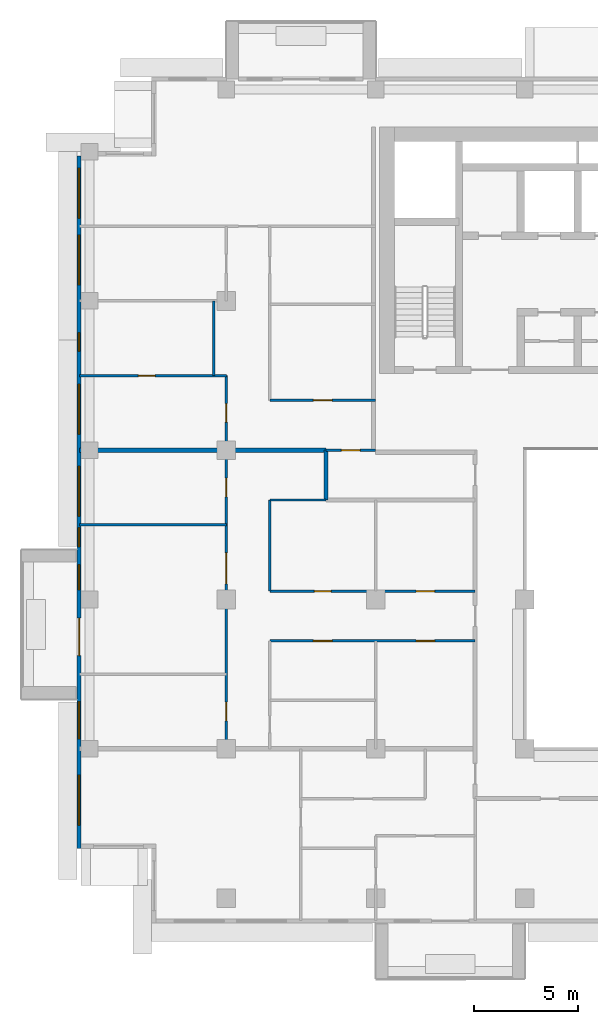
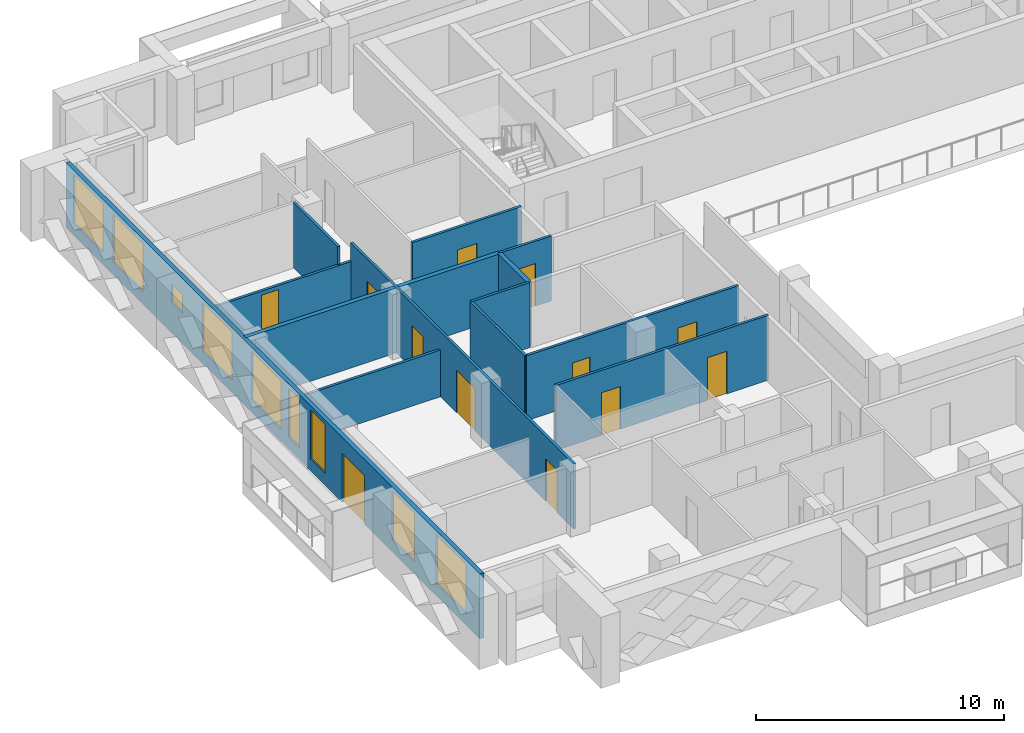
# One storey, part 7 of 20: 13 walls, 12 doors, 9 windows, 21 openings.
"""IFC4 building model written with IfcOpenShell, lengths in metres."""

from ifc_helpers import new_model, si_unit, direction, frame, frame_2d, origin, place, context, subcontext, project, spatial, rectangle, extrude, material, layer, layer_set, type_object, element, fill, save


model = new_model("IFC4")

# Units and contexts
model_context = context("Model", 3, precision=1e-05, world=origin(), true_north=direction((0.0, 1.0)))
body_context = subcontext(model_context, "Body", "Model", "MODEL_VIEW")
ifc_project = project(units=[si_unit("LENGTHUNIT", "METRE"), si_unit("AREAUNIT", "SQUARE_METRE"), si_unit("VOLUMEUNIT", "CUBIC_METRE"), si_unit("PLANEANGLEUNIT", "RADIAN"), si_unit("MASSUNIT", "GRAM", prefix="KILO")], contexts=[model_context])

# Site, building, storey
site_placement = place(None, origin())
site = spatial("IfcSite", under=ifc_project, at=site_placement, CompositionType="ELEMENT")
building_placement = place(site_placement, origin())
building = spatial("IfcBuilding", under=site, at=building_placement, Name="Saffron Iwan Residences", CompositionType="ELEMENT")
storey_placement = place(building_placement, frame((0.0, 0.0, 199.0)))
storey = spatial("IfcBuildingStorey", under=building, at=storey_placement, Name="L53", CompositionType="ELEMENT", Elevation=199.0)

# Wall, openings, door, windows
ifc_material_1 = material(Name="Concrete C40/50", Category="concrete")
ifc_layer_1 = layer(ifc_material_1, 0.199951171875)
ifc_layer_set_1 = layer_set([ifc_layer_1], Name="Concrete C40/50")
wall_type_1 = type_object("IfcWallType", Name="EXTERNAL WALL 200", PredefinedType="SOLIDWALL", material=ifc_layer_set_1)
wall_1_placement = place(storey_placement, frame((14.5, 76.60009765625, 0.0), z_axis=(0.0, 0.0, 1.0), x_axis=(0.0, -1.0, 0.0)))
wall_1 = element("IfcWall", 1, at=wall_1_placement, inside=storey, type_object=wall_type_1, Name="External wall L53 F8.0", PredefinedType="SOLIDWALL", context=body_context, shape_type="SweptSolid", body=[
    extrude(rectangle(XDim=33.400146484375, YDim=0.199951171875, at=frame_2d((16.7001953125, 0.0))), origin(), (0.0, 0.0, 1.0), 3.199951171875),
])
opening_1_placement = place(wall_1_placement, frame((22.300048828125, 0.0, 0.0)))
opening_1 = element("IfcOpeningElement", 2, at=opening_1_placement, cuts=wall_1, Name="Opening BD1", PredefinedType="OPENING", context=body_context, shape_type="SweptSolid", body=[
    extrude(rectangle(XDim=1.800048828125, YDim=2.39990234375, at=frame_2d((0.89990234375, 1.199951171875))), frame((0.0, 0.10986328125, 0.0), z_axis=(0.0, -1.0, 0.0), x_axis=(1.0, 0.0, 0.0)), (0.0, 0.0, 1.0), 0.219970703125),
])
opening_2_placement = place(wall_1_placement, frame((29.875, 0.0, 0.60009765625)))
opening_2 = element("IfcOpeningElement", 3, at=opening_2_placement, cuts=wall_1, Name="Opening W1", PredefinedType="OPENING", context=body_context, shape_type="SweptSolid", body=[
    extrude(rectangle(XDim=2.39990234375, YDim=2.39990234375, at=frame_2d((1.199951171875, 1.199951171875))), frame((0.0, 0.10986328125, 0.0), z_axis=(0.0, -1.0, 0.0), x_axis=(1.0, 0.0, 0.0)), (0.0, 0.0, 1.0), 0.219970703125),
])
opening_3_placement = place(wall_1_placement, frame((26.324951171875, 0.0, 0.60009765625)))
opening_3 = element("IfcOpeningElement", 4, at=opening_3_placement, cuts=wall_1, Name="Opening W8", PredefinedType="OPENING", context=body_context, shape_type="SweptSolid", body=[
    extrude(rectangle(XDim=1.800048828125, YDim=2.39990234375, at=frame_2d((0.89990234375, 1.199951171875))), frame((0.0, 0.10986328125, 0.0), z_axis=(0.0, -1.0, 0.0), x_axis=(1.0, 0.0, 0.0)), (0.0, 0.0, 1.0), 0.219970703125),
])
opening_4_placement = place(wall_1_placement, frame((17.949951171875, 0.0, 0.60009765625)))
opening_4 = element("IfcOpeningElement", 5, at=opening_4_placement, cuts=wall_1, Name="Opening W10", PredefinedType="OPENING", context=body_context, shape_type="SweptSolid", body=[
    extrude(rectangle(XDim=0.89990234375, YDim=2.39990234375, at=frame_2d((0.449951171875, 1.199951171875))), frame((0.0, 0.10986328125, 0.0), z_axis=(0.0, -1.0, 0.0), x_axis=(1.0, 0.0, 0.0)), (0.0, 0.0, 1.0), 0.219970703125),
])
opening_5_placement = place(wall_1_placement, frame((19.72509765625, 0.0, 0.60009765625)))
opening_5 = element("IfcOpeningElement", 6, at=opening_5_placement, cuts=wall_1, Name="Opening W3", PredefinedType="OPENING", context=body_context, shape_type="SweptSolid", body=[
    extrude(rectangle(XDim=1.199951171875, YDim=2.39990234375, at=frame_2d((0.60009765625, 1.199951171875))), frame((0.0, 0.10986328125, 0.0), z_axis=(0.0, -1.0, 0.0), x_axis=(1.0, 0.0, 0.0)), (0.0, 0.0, 1.0), 0.219970703125),
])
opening_6_placement = place(wall_1_placement, frame((14.97509765625, 0.0, 0.60009765625)))
opening_6 = element("IfcOpeningElement", 7, at=opening_6_placement, cuts=wall_1, Name="Opening W1", PredefinedType="OPENING", context=body_context, shape_type="SweptSolid", body=[
    extrude(rectangle(XDim=2.39990234375, YDim=2.39990234375, at=frame_2d((1.199951171875, 1.199951171875))), frame((0.0, 0.10986328125, 0.0), z_axis=(0.0, -1.0, 0.0), x_axis=(1.0, 0.0, 0.0)), (0.0, 0.0, 1.0), 0.219970703125),
])
opening_7_placement = place(wall_1_placement, frame((11.02490234375, 0.0, 0.60009765625)))
opening_7 = element("IfcOpeningElement", 8, at=opening_7_placement, cuts=wall_1, Name="Opening W1", PredefinedType="OPENING", context=body_context, shape_type="SweptSolid", body=[
    extrude(rectangle(XDim=2.39990234375, YDim=2.39990234375, at=frame_2d((1.199951171875, 1.199951171875))), frame((0.0, 0.10986328125, 0.0), z_axis=(0.0, -1.0, 0.0), x_axis=(1.0, 0.0, 0.0)), (0.0, 0.0, 1.0), 0.219970703125),
])
opening_8_placement = place(wall_1_placement, frame((8.52490234375, 0.0, 1.5)))
opening_8 = element("IfcOpeningElement", 9, at=opening_8_placement, cuts=wall_1, Name="Opening W6", PredefinedType="OPENING", context=body_context, shape_type="SweptSolid", body=[
    extrude(rectangle(XDim=0.89990234375, YDim=0.89990234375, at=frame_2d((0.449951171875, 0.449951171875))), frame((0.0, 0.10986328125, 0.0), z_axis=(0.0, -1.0, 0.0), x_axis=(1.0, 0.0, 0.0)), (0.0, 0.0, 1.0), 0.219970703125),
])
opening_9_placement = place(wall_1_placement, frame((3.824951171875, 0.0, 0.60009765625)))
opening_9 = element("IfcOpeningElement", 10, at=opening_9_placement, cuts=wall_1, Name="Opening W1", PredefinedType="OPENING", context=body_context, shape_type="SweptSolid", body=[
    extrude(rectangle(XDim=2.39990234375, YDim=2.39990234375, at=frame_2d((1.199951171875, 1.199951171875))), frame((0.0, 0.10986328125, 0.0), z_axis=(0.0, -1.0, 0.0), x_axis=(1.0, 0.0, 0.0)), (0.0, 0.0, 1.0), 0.219970703125),
])
opening_10_placement = place(wall_1_placement, frame((0.60009765625, 0.0, 0.60009765625)))
opening_10 = element("IfcOpeningElement", 11, at=opening_10_placement, cuts=wall_1, Name="Opening W1", PredefinedType="OPENING", context=body_context, shape_type="SweptSolid", body=[
    extrude(rectangle(XDim=2.39990234375, YDim=2.39990234375, at=frame_2d((1.199951171875, 1.199951171875))), frame((0.0, 0.10986328125, 0.0), z_axis=(0.0, -1.0, 0.0), x_axis=(1.0, 0.0, 0.0)), (0.0, 0.0, 1.0), 0.219970703125),
])
ifc_material_2 = material(Name="Clear glass, laminated double glazed", Category="glass")
door_type_1 = type_object("IfcDoorType", Name="BALCONY DOOR 1800 x 2400", OperationType="DOUBLE_DOOR_SLIDING", PredefinedType="DOOR", material=ifc_material_2)
door_1_placement = place(opening_1_placement, origin())
door_1 = element("IfcDoor", 12, at=door_1_placement, inside=storey, type_object=door_type_1, Name="Balcony door L53 F8.0", OperationType="DOUBLE_DOOR_SLIDING", OverallHeight=2.39990234375, OverallWidth=1.800048828125, PredefinedType="DOOR", context=body_context, shape_type="SweptSolid", body=[
    extrude(rectangle(XDim=1.800048828125, YDim=2.39990234375, at=frame_2d((0.89990234375, 1.199951171875))), frame((0.0, 0.02490234375, 0.0), z_axis=(0.0, -1.0, 0.0), x_axis=(1.0, 0.0, 0.0)), (0.0, 0.0, 1.0), 0.050048828125),
])
fill(opening_1, door_1)
window_type_1 = type_object("IfcWindowType", Name="WINDOW 1200 x 2400", PartitioningType="SINGLE_PANEL", PredefinedType="WINDOW", material=ifc_material_2)
window_1_placement = place(opening_5_placement, origin())
window_1 = element("IfcWindow", 13, at=window_1_placement, inside=storey, type_object=window_type_1, Name="Window L53 F8.4", OverallHeight=2.39990234375, OverallWidth=1.199951171875, PartitioningType="SINGLE_PANEL", PredefinedType="WINDOW", context=body_context, shape_type="SweptSolid", body=[
    extrude(rectangle(XDim=1.199951171875, YDim=2.39990234375, at=frame_2d((0.60009765625, 1.199951171875))), frame((0.0, 0.030029296875, 0.0), z_axis=(0.0, -1.0, 0.0), x_axis=(1.0, 0.0, 0.0)), (0.0, 0.0, 1.0), 0.06005859375),
])
fill(opening_5, window_1)
window_type_2 = type_object("IfcWindowType", Name="WINDOW 1800 x 2400", PartitioningType="DOUBLE_PANEL_VERTICAL", PredefinedType="WINDOW", material=ifc_material_2)
window_2_placement = place(opening_3_placement, origin())
window_2 = element("IfcWindow", 14, at=window_2_placement, inside=storey, type_object=window_type_2, Name="Window L53 F8.2", OverallHeight=2.39990234375, OverallWidth=1.800048828125, PartitioningType="DOUBLE_PANEL_VERTICAL", PredefinedType="WINDOW", context=body_context, shape_type="SweptSolid", body=[
    extrude(rectangle(XDim=1.800048828125, YDim=2.39990234375, at=frame_2d((0.89990234375, 1.199951171875))), frame((0.0, 0.030029296875, 0.0), z_axis=(0.0, -1.0, 0.0), x_axis=(1.0, 0.0, 0.0)), (0.0, 0.0, 1.0), 0.06005859375),
])
fill(opening_3, window_2)
window_type_3 = type_object("IfcWindowType", Name="WINDOW 2400 x 2400", PartitioningType="DOUBLE_PANEL_VERTICAL", PredefinedType="WINDOW", material=ifc_material_2)
window_3_placement = place(opening_2_placement, origin())
window_3 = element("IfcWindow", 15, at=window_3_placement, inside=storey, type_object=window_type_3, Name="Window L53 F8.1", OverallHeight=2.39990234375, OverallWidth=2.39990234375, PartitioningType="DOUBLE_PANEL_VERTICAL", PredefinedType="WINDOW", context=body_context, shape_type="SweptSolid", body=[
    extrude(rectangle(XDim=2.39990234375, YDim=2.39990234375, at=frame_2d((1.199951171875, 1.199951171875))), frame((0.0, 0.030029296875, 0.0), z_axis=(0.0, -1.0, 0.0), x_axis=(1.0, 0.0, 0.0)), (0.0, 0.0, 1.0), 0.06005859375),
])
fill(opening_2, window_3)
window_4_placement = place(opening_6_placement, origin())
window_4 = element("IfcWindow", 16, at=window_4_placement, inside=storey, type_object=window_type_3, Name="Window L53 F8.5", OverallHeight=2.39990234375, OverallWidth=2.39990234375, PartitioningType="DOUBLE_PANEL_VERTICAL", PredefinedType="WINDOW", context=body_context, shape_type="SweptSolid", body=[
    extrude(rectangle(XDim=2.39990234375, YDim=2.39990234375, at=frame_2d((1.199951171875, 1.199951171875))), frame((0.0, 0.030029296875, 0.0), z_axis=(0.0, -1.0, 0.0), x_axis=(1.0, 0.0, 0.0)), (0.0, 0.0, 1.0), 0.06005859375),
])
fill(opening_6, window_4)
window_5_placement = place(opening_7_placement, origin())
window_5 = element("IfcWindow", 17, at=window_5_placement, inside=storey, type_object=window_type_3, Name="Window L53 F8.6", OverallHeight=2.39990234375, OverallWidth=2.39990234375, PartitioningType="DOUBLE_PANEL_VERTICAL", PredefinedType="WINDOW", context=body_context, shape_type="SweptSolid", body=[
    extrude(rectangle(XDim=2.39990234375, YDim=2.39990234375, at=frame_2d((1.199951171875, 1.199951171875))), frame((0.0, 0.030029296875, 0.0), z_axis=(0.0, -1.0, 0.0), x_axis=(1.0, 0.0, 0.0)), (0.0, 0.0, 1.0), 0.06005859375),
])
fill(opening_7, window_5)
window_6_placement = place(opening_9_placement, origin())
window_6 = element("IfcWindow", 18, at=window_6_placement, inside=storey, type_object=window_type_3, Name="Window L53 F8.8", OverallHeight=2.39990234375, OverallWidth=2.39990234375, PartitioningType="DOUBLE_PANEL_VERTICAL", PredefinedType="WINDOW", context=body_context, shape_type="SweptSolid", body=[
    extrude(rectangle(XDim=2.39990234375, YDim=2.39990234375, at=frame_2d((1.199951171875, 1.199951171875))), frame((0.0, 0.030029296875, 0.0), z_axis=(0.0, -1.0, 0.0), x_axis=(1.0, 0.0, 0.0)), (0.0, 0.0, 1.0), 0.06005859375),
])
fill(opening_9, window_6)
window_7_placement = place(opening_10_placement, origin())
window_7 = element("IfcWindow", 19, at=window_7_placement, inside=storey, type_object=window_type_3, Name="Window L53 F8.9", OverallHeight=2.39990234375, OverallWidth=2.39990234375, PartitioningType="DOUBLE_PANEL_VERTICAL", PredefinedType="WINDOW", context=body_context, shape_type="SweptSolid", body=[
    extrude(rectangle(XDim=2.39990234375, YDim=2.39990234375, at=frame_2d((1.199951171875, 1.199951171875))), frame((0.0, 0.030029296875, 0.0), z_axis=(0.0, -1.0, 0.0), x_axis=(1.0, 0.0, 0.0)), (0.0, 0.0, 1.0), 0.06005859375),
])
fill(opening_10, window_7)
window_type_4 = type_object("IfcWindowType", Name="WINDOW 900 x 2400", PartitioningType="SINGLE_PANEL", PredefinedType="WINDOW", material=ifc_material_2)
window_8_placement = place(opening_4_placement, origin())
window_8 = element("IfcWindow", 20, at=window_8_placement, inside=storey, type_object=window_type_4, Name="Window L53 F8.3", OverallHeight=2.39990234375, OverallWidth=0.89990234375, PartitioningType="SINGLE_PANEL", PredefinedType="WINDOW", context=body_context, shape_type="SweptSolid", body=[
    extrude(rectangle(XDim=0.89990234375, YDim=2.39990234375, at=frame_2d((0.449951171875, 1.199951171875))), frame((0.0, 0.030029296875, 0.0), z_axis=(0.0, -1.0, 0.0), x_axis=(1.0, 0.0, 0.0)), (0.0, 0.0, 1.0), 0.06005859375),
])
fill(opening_4, window_8)
window_type_5 = type_object("IfcWindowType", Name="WINDOW 900 x 900 BATH", PartitioningType="SINGLE_PANEL", PredefinedType="WINDOW", material=ifc_material_2)
window_9_placement = place(opening_8_placement, origin())
window_9 = element("IfcWindow", 21, at=window_9_placement, inside=storey, type_object=window_type_5, Name="Window L53 F8.7", OverallHeight=0.89990234375, OverallWidth=0.89990234375, PartitioningType="SINGLE_PANEL", PredefinedType="WINDOW", context=body_context, shape_type="SweptSolid", body=[
    extrude(rectangle(XDim=0.89990234375, YDim=0.89990234375, at=frame_2d((0.449951171875, 0.449951171875))), frame((0.0, 0.030029296875, 0.0), z_axis=(0.0, -1.0, 0.0), x_axis=(1.0, 0.0, 0.0)), (0.0, 0.0, 1.0), 0.06005859375),
])
fill(opening_8, window_9)

# Walls
ifc_material_3 = material(Name="Fire-rated gypsum board wall")
ifc_layer_2 = layer(ifc_material_3, 0.199951171875)
ifc_layer_set_2 = layer_set([ifc_layer_2], Name="Fire-rated gypsum board wall")
wall_type_2 = type_object("IfcWallType", Name="Flat demising wall 200", PredefinedType="SOLIDWALL", material=ifc_layer_set_2)
wall_2_placement = place(storey_placement, frame((14.52490234375, 62.39990234375, 0.0), z_axis=(0.0, 0.0, 1.0), x_axis=(1.0, 0.0, 0.0)))
element("IfcWall", 22, at=wall_2_placement, inside=storey, type_object=wall_type_2, Name="W-L53-DEMISE-h62.4-14.525", PredefinedType="SOLIDWALL", context=body_context, shape_type="SweptSolid", body=[
    extrude(rectangle(XDim=11.875, YDim=0.199951171875, at=frame_2d((5.9375, 0.0))), origin(), (0.0, 0.0, 1.0), 3.199951171875),
])
wall_3_placement = place(storey_placement, frame((26.39990234375, 60.0, 0.0), z_axis=(0.0, 0.0, 1.0), x_axis=(0.0, 1.0, 0.0)))
element("IfcWall", 23, at=wall_3_placement, inside=storey, type_object=wall_type_2, Name="W-L53-DEMISE-v26.4-60", PredefinedType="SOLIDWALL", context=body_context, shape_type="SweptSolid", body=[
    extrude(rectangle(XDim=2.39990234375, YDim=0.199951171875, at=frame_2d((1.199951171875, 0.0))), origin(), (0.0, 0.0, 1.0), 3.199951171875),
])

# Wall, openings, doors
ifc_material_4 = material(Name="Gypsum board partition")
ifc_layer_3 = layer(ifc_material_4, 0.1201171875)
ifc_layer_set_3 = layer_set([ifc_layer_3], Name="Gypsum board partition")
wall_type_3 = type_object("IfcWallType", Name="Flat partition 120", PredefinedType="PARTITIONING", material=ifc_layer_set_3)
wall_4_placement = place(storey_placement, frame((23.699951171875, 53.199951171875, 0.0), z_axis=(0.0, 0.0, 1.0), x_axis=(1.0, 0.0, 0.0)))
wall_4 = element("IfcWall", 24, at=wall_4_placement, inside=storey, type_object=wall_type_3, Name="W-L53-PART-h53.2-23.7", PredefinedType="PARTITIONING", context=body_context, shape_type="SweptSolid", body=[
    extrude(rectangle(XDim=9.900146484375, YDim=0.1201171875, at=frame_2d((4.9501953125, 0.0))), origin(), (0.0, 0.0, 1.0), 3.199951171875),
])
opening_11_placement = place(wall_4_placement, frame((2.10009765625, 0.0, 0.0)))
opening_11 = element("IfcOpeningElement", 25, at=opening_11_placement, cuts=wall_4, Name="Opening FD2", PredefinedType="OPENING", context=body_context, shape_type="SweptSolid", body=[
    extrude(rectangle(XDim=0.89990234375, YDim=2.10009765625, at=frame_2d((0.449951171875, 1.050048828125))), frame((0.0, 0.070068359375, 0.0), z_axis=(0.0, -1.0, 0.0), x_axis=(1.0, 0.0, 0.0)), (0.0, 0.0, 1.0), 0.14013671875),
])
opening_12_placement = place(wall_4_placement, frame((7.050048828125, 0.0, 0.0)))
opening_12 = element("IfcOpeningElement", 26, at=opening_12_placement, cuts=wall_4, Name="Opening FD2", PredefinedType="OPENING", context=body_context, shape_type="SweptSolid", body=[
    extrude(rectangle(XDim=0.89990234375, YDim=2.10009765625, at=frame_2d((0.449951171875, 1.050048828125))), frame((0.0, 0.070068359375, 0.0), z_axis=(0.0, -1.0, 0.0), x_axis=(1.0, 0.0, 0.0)), (0.0, 0.0, 1.0), 0.14013671875),
])
ifc_material_5 = material(Name="Timber door", Category="wood")
door_type_2 = type_object("IfcDoorType", Name="Flat door 900", OperationType="NOTDEFINED", PredefinedType="DOOR", material=ifc_material_5)
door_2_placement = place(opening_11_placement, origin())
door_2 = element("IfcDoor", 27, at=door_2_placement, inside=storey, type_object=door_type_2, Name="Door L53-012", OperationType="SINGLE_SWING_LEFT", OverallHeight=2.10009765625, OverallWidth=0.89990234375, PredefinedType="DOOR", context=body_context, shape_type="SweptSolid", body=[
    extrude(rectangle(XDim=0.89990234375, YDim=2.10009765625, at=frame_2d((0.449951171875, 1.050048828125))), frame((0.0, 0.02490234375, 0.0), z_axis=(0.0, -1.0, 0.0), x_axis=(1.0, 0.0, 0.0)), (0.0, 0.0, 1.0), 0.050048828125),
])
fill(opening_11, door_2)
door_3_placement = place(opening_12_placement, origin())
door_3 = element("IfcDoor", 28, at=door_3_placement, inside=storey, type_object=door_type_2, Name="Door L53-014", OperationType="SINGLE_SWING_RIGHT", OverallHeight=2.10009765625, OverallWidth=0.89990234375, PredefinedType="DOOR", context=body_context, shape_type="SweptSolid", body=[
    extrude(rectangle(XDim=0.89990234375, YDim=2.10009765625, at=frame_2d((0.449951171875, 1.050048828125))), frame((0.0, 0.02490234375, 0.0), z_axis=(0.0, -1.0, 0.0), x_axis=(1.0, 0.0, 0.0)), (0.0, 0.0, 1.0), 0.050048828125),
])
fill(opening_12, door_3)

wall_5_placement = place(storey_placement, frame((23.699951171875, 55.60009765625, 0.0), z_axis=(0.0, 0.0, 1.0), x_axis=(1.0, 0.0, 0.0)))
wall_5 = element("IfcWall", 29, at=wall_5_placement, inside=storey, type_object=wall_type_3, Name="W-L53-PART-h55.6-23.7", PredefinedType="PARTITIONING", context=body_context, shape_type="SweptSolid", body=[
    extrude(rectangle(XDim=9.900146484375, YDim=0.1201171875, at=frame_2d((4.9501953125, 0.0))), origin(), (0.0, 0.0, 1.0), 3.199951171875),
])
opening_13_placement = place(wall_5_placement, frame((2.14990234375, 0.0, 0.0)))
opening_13 = element("IfcOpeningElement", 30, at=opening_13_placement, cuts=wall_5, Name="Opening FD3", PredefinedType="OPENING", context=body_context, shape_type="SweptSolid", body=[
    extrude(rectangle(XDim=0.800048828125, YDim=2.10009765625, at=frame_2d((0.39990234375, 1.050048828125))), frame((0.0, 0.070068359375, 0.0), z_axis=(0.0, -1.0, 0.0), x_axis=(1.0, 0.0, 0.0)), (0.0, 0.0, 1.0), 0.14013671875),
])
opening_14_placement = place(wall_5_placement, frame((7.050048828125, 0.0, 0.0)))
opening_14 = element("IfcOpeningElement", 31, at=opening_14_placement, cuts=wall_5, Name="Opening FD2", PredefinedType="OPENING", context=body_context, shape_type="SweptSolid", body=[
    extrude(rectangle(XDim=0.89990234375, YDim=2.10009765625, at=frame_2d((0.449951171875, 1.050048828125))), frame((0.0, 0.070068359375, 0.0), z_axis=(0.0, -1.0, 0.0), x_axis=(1.0, 0.0, 0.0)), (0.0, 0.0, 1.0), 0.14013671875),
])
door_type_3 = type_object("IfcDoorType", Name="Bathroom door 800", OperationType="NOTDEFINED", PredefinedType="DOOR", material=ifc_material_5)
door_4_placement = place(opening_13_placement, origin())
door_4 = element("IfcDoor", 32, at=door_4_placement, inside=storey, type_object=door_type_3, Name="Door L53-013", OperationType="SINGLE_SWING_LEFT", OverallHeight=2.10009765625, OverallWidth=0.800048828125, PredefinedType="DOOR", context=body_context, shape_type="SweptSolid", body=[
    extrude(rectangle(XDim=0.800048828125, YDim=2.10009765625, at=frame_2d((0.39990234375, 1.050048828125))), frame((0.0, 0.02490234375, 0.0), z_axis=(0.0, -1.0, 0.0), x_axis=(1.0, 0.0, 0.0)), (0.0, 0.0, 1.0), 0.050048828125),
])
fill(opening_13, door_4)
door_5_placement = place(opening_14_placement, origin())
door_5 = element("IfcDoor", 33, at=door_5_placement, inside=storey, type_object=door_type_2, Name="Door L53-015", OperationType="SINGLE_SWING_LEFT", OverallHeight=2.10009765625, OverallWidth=0.89990234375, PredefinedType="DOOR", context=body_context, shape_type="SweptSolid", body=[
    extrude(rectangle(XDim=0.89990234375, YDim=2.10009765625, at=frame_2d((0.449951171875, 1.050048828125))), frame((0.0, 0.02490234375, 0.0), z_axis=(0.0, -1.0, 0.0), x_axis=(1.0, 0.0, 0.0)), (0.0, 0.0, 1.0), 0.050048828125),
])
fill(opening_14, door_5)

# Walls
wall_6_placement = place(storey_placement, frame((14.52490234375, 58.800048828125, 0.0), z_axis=(0.0, 0.0, 1.0), x_axis=(1.0, 0.0, 0.0)))
element("IfcWall", 34, at=wall_6_placement, inside=storey, type_object=wall_type_3, Name="W-L53-PART-h58.8-14.525", PredefinedType="PARTITIONING", context=body_context, shape_type="SweptSolid", body=[
    extrude(rectangle(XDim=7.0751953125, YDim=0.1201171875, at=frame_2d((3.53759765625, 0.0))), origin(), (0.0, 0.0, 1.0), 2.300048828125),
])
wall_7_placement = place(storey_placement, frame((23.699951171875, 60.0, 0.0), z_axis=(0.0, 0.0, 1.0), x_axis=(1.0, 0.0, 0.0)))
element("IfcWall", 35, at=wall_7_placement, inside=storey, type_object=wall_type_3, Name="W-L53-PART-h60-23.7", PredefinedType="PARTITIONING", context=body_context, shape_type="SweptSolid", body=[
    extrude(rectangle(XDim=2.699951171875, YDim=0.1201171875, at=frame_2d((1.35009765625, 0.0))), origin(), (0.0, 0.0, 1.0), 3.199951171875),
])

# Wall, opening, door
wall_8_placement = place(storey_placement, frame((26.39990234375, 62.39990234375, 0.0), z_axis=(0.0, 0.0, 1.0), x_axis=(1.0, 0.0, 0.0)))
wall_8 = element("IfcWall", 36, at=wall_8_placement, inside=storey, type_object=wall_type_3, Name="W-L53-PART-h62.4-26.4", PredefinedType="PARTITIONING", context=body_context, shape_type="SweptSolid", body=[
    extrude(rectangle(XDim=2.400146484375, YDim=0.1201171875, at=frame_2d((1.2001953125, 0.0))), origin(), (0.0, 0.0, 1.0), 3.199951171875),
])
opening_15_placement = place(wall_8_placement, frame((0.75, 0.0, 0.0)))
opening_15 = element("IfcOpeningElement", 37, at=opening_15_placement, cuts=wall_8, Name="Opening FD2", PredefinedType="OPENING", context=body_context, shape_type="SweptSolid", body=[
    extrude(rectangle(XDim=0.89990234375, YDim=2.10009765625, at=frame_2d((0.449951171875, 1.050048828125))), frame((0.0, 0.070068359375, 0.0), z_axis=(0.0, -1.0, 0.0), x_axis=(1.0, 0.0, 0.0)), (0.0, 0.0, 1.0), 0.14013671875),
])
door_6_placement = place(opening_15_placement, origin())
door_6 = element("IfcDoor", 38, at=door_6_placement, inside=storey, type_object=door_type_2, Name="Door L53-024", OperationType="SINGLE_SWING_LEFT", OverallHeight=2.10009765625, OverallWidth=0.89990234375, PredefinedType="DOOR", context=body_context, shape_type="SweptSolid", body=[
    extrude(rectangle(XDim=0.89990234375, YDim=2.10009765625, at=frame_2d((0.449951171875, 1.050048828125))), frame((0.0, 0.02490234375, 0.0), z_axis=(0.0, -1.0, 0.0), x_axis=(1.0, 0.0, 0.0)), (0.0, 0.0, 1.0), 0.050048828125),
])
fill(opening_15, door_6)

wall_9_placement = place(storey_placement, frame((23.699951171875, 64.800048828125, 0.0), z_axis=(0.0, 0.0, 1.0), x_axis=(1.0, 0.0, 0.0)))
wall_9 = element("IfcWall", 39, at=wall_9_placement, inside=storey, type_object=wall_type_3, Name="W-L53-PART-h64.8-23.7", PredefinedType="PARTITIONING", context=body_context, shape_type="SweptSolid", body=[
    extrude(rectangle(XDim=5.10009765625, YDim=0.1201171875, at=frame_2d((2.550048828125, 0.0))), origin(), (0.0, 0.0, 1.0), 3.199951171875),
])
opening_16_placement = place(wall_9_placement, frame((2.10009765625, 0.0, 0.0)))
opening_16 = element("IfcOpeningElement", 40, at=opening_16_placement, cuts=wall_9, Name="Opening FD2", PredefinedType="OPENING", context=body_context, shape_type="SweptSolid", body=[
    extrude(rectangle(XDim=0.89990234375, YDim=2.10009765625, at=frame_2d((0.449951171875, 1.050048828125))), frame((0.0, 0.070068359375, 0.0), z_axis=(0.0, -1.0, 0.0), x_axis=(1.0, 0.0, 0.0)), (0.0, 0.0, 1.0), 0.14013671875),
])
door_7_placement = place(opening_16_placement, origin())
door_7 = element("IfcDoor", 41, at=door_7_placement, inside=storey, type_object=door_type_2, Name="Door L53-030", OperationType="SINGLE_SWING_LEFT", OverallHeight=2.10009765625, OverallWidth=0.89990234375, PredefinedType="DOOR", context=body_context, shape_type="SweptSolid", body=[
    extrude(rectangle(XDim=0.89990234375, YDim=2.10009765625, at=frame_2d((0.449951171875, 1.050048828125))), frame((0.0, 0.02490234375, 0.0), z_axis=(0.0, -1.0, 0.0), x_axis=(1.0, 0.0, 0.0)), (0.0, 0.0, 1.0), 0.050048828125),
])
fill(opening_16, door_7)

wall_10_placement = place(storey_placement, frame((14.52490234375, 66.0, 0.0), z_axis=(0.0, 0.0, 1.0), x_axis=(1.0, 0.0, 0.0)))
wall_10 = element("IfcWall", 42, at=wall_10_placement, inside=storey, type_object=wall_type_3, Name="W-L53-PART-h66-14.525", PredefinedType="PARTITIONING", context=body_context, shape_type="SweptSolid", body=[
    extrude(rectangle(XDim=7.0751953125, YDim=0.1201171875, at=frame_2d((3.53759765625, 0.0))), origin(), (0.0, 0.0, 1.0), 2.300048828125),
])
opening_17_placement = place(wall_10_placement, frame((2.83740234375, 0.0, 0.0)))
opening_17 = element("IfcOpeningElement", 43, at=opening_17_placement, cuts=wall_10, Name="Opening FD3", PredefinedType="OPENING", context=body_context, shape_type="SweptSolid", body=[
    extrude(rectangle(XDim=0.800048828125, YDim=2.10009765625, at=frame_2d((0.39990234375, 1.050048828125))), frame((0.0, 0.070068359375, 0.0), z_axis=(0.0, -1.0, 0.0), x_axis=(1.0, 0.0, 0.0)), (0.0, 0.0, 1.0), 0.14013671875),
])
door_8_placement = place(opening_17_placement, origin())
door_8 = element("IfcDoor", 44, at=door_8_placement, inside=storey, type_object=door_type_3, Name="Door L53-027", OperationType="SINGLE_SWING_LEFT", OverallHeight=2.10009765625, OverallWidth=0.800048828125, PredefinedType="DOOR", context=body_context, shape_type="SweptSolid", body=[
    extrude(rectangle(XDim=0.800048828125, YDim=2.10009765625, at=frame_2d((0.39990234375, 1.050048828125))), frame((0.0, 0.02490234375, 0.0), z_axis=(0.0, -1.0, 0.0), x_axis=(1.0, 0.0, 0.0)), (0.0, 0.0, 1.0), 0.050048828125),
])
fill(opening_17, door_8)

# Wall
wall_11_placement = place(storey_placement, frame((21.0, 66.0, 0.0), z_axis=(0.0, 0.0, 1.0), x_axis=(0.0, 1.0, 0.0)))
element("IfcWall", 45, at=wall_11_placement, inside=storey, type_object=wall_type_3, Name="W-L53-PART-v21-66", PredefinedType="PARTITIONING", context=body_context, shape_type="SweptSolid", body=[
    extrude(rectangle(XDim=3.60009765625, YDim=0.1201171875, at=frame_2d((1.800048828125, 0.0))), origin(), (0.0, 0.0, 1.0), 3.199951171875),
])

# Wall, openings, doors
wall_12_placement = place(storey_placement, frame((21.60009765625, 48.0, 0.0), z_axis=(0.0, 0.0, 1.0), x_axis=(0.0, 1.0, 0.0)))
wall_12 = element("IfcWall", 46, at=wall_12_placement, inside=storey, type_object=wall_type_3, Name="W-L53-PART-v21.6-48", PredefinedType="PARTITIONING", context=body_context, shape_type="SweptSolid", body=[
    extrude(rectangle(XDim=18.0, YDim=0.1201171875, at=frame_2d((9.0, 0.0))), origin(), (0.0, 0.0, 1.0), 3.199951171875),
])
opening_18_placement = place(wall_12_placement, frame((1.35009765625, 0.0, 0.0)))
opening_18 = element("IfcOpeningElement", 47, at=opening_18_placement, cuts=wall_12, Name="Opening FD2", PredefinedType="OPENING", context=body_context, shape_type="SweptSolid", body=[
    extrude(rectangle(XDim=0.89990234375, YDim=2.10009765625, at=frame_2d((0.449951171875, 1.050048828125))), frame((0.0, 0.070068359375, 0.0), z_axis=(0.0, -1.0, 0.0), x_axis=(1.0, 0.0, 0.0)), (0.0, 0.0, 1.0), 0.14013671875),
])
opening_19_placement = place(wall_12_placement, frame((7.949951171875, 0.0, 0.0)))
opening_19 = element("IfcOpeningElement", 48, at=opening_19_placement, cuts=wall_12, Name="Opening FD4", PredefinedType="OPENING", context=body_context, shape_type="SweptSolid", body=[
    extrude(rectangle(XDim=1.5, YDim=2.10009765625, at=frame_2d((0.75, 1.050048828125))), frame((0.0, 0.070068359375, 0.0), z_axis=(0.0, -1.0, 0.0), x_axis=(1.0, 0.0, 0.0)), (0.0, 0.0, 1.0), 0.14013671875),
])
opening_20_placement = place(wall_12_placement, frame((12.14990234375, 0.0, 0.0)))
opening_20 = element("IfcOpeningElement", 49, at=opening_20_placement, cuts=wall_12, Name="Opening FD2", PredefinedType="OPENING", context=body_context, shape_type="SweptSolid", body=[
    extrude(rectangle(XDim=0.89990234375, YDim=2.10009765625, at=frame_2d((0.449951171875, 1.050048828125))), frame((0.0, 0.070068359375, 0.0), z_axis=(0.0, -1.0, 0.0), x_axis=(1.0, 0.0, 0.0)), (0.0, 0.0, 1.0), 0.14013671875),
])
opening_21_placement = place(wall_12_placement, frame((15.75, 0.0, 0.0)))
opening_21 = element("IfcOpeningElement", 50, at=opening_21_placement, cuts=wall_12, Name="Opening FD2", PredefinedType="OPENING", context=body_context, shape_type="SweptSolid", body=[
    extrude(rectangle(XDim=0.89990234375, YDim=2.10009765625, at=frame_2d((0.449951171875, 1.050048828125))), frame((0.0, 0.070068359375, 0.0), z_axis=(0.0, -1.0, 0.0), x_axis=(1.0, 0.0, 0.0)), (0.0, 0.0, 1.0), 0.14013671875),
])
door_type_4 = type_object("IfcDoorType", Name="Double door 1500", OperationType="NOTDEFINED", PredefinedType="DOOR", material=ifc_material_5)
door_9_placement = place(opening_19_placement, origin())
door_9 = element("IfcDoor", 51, at=door_9_placement, inside=storey, type_object=door_type_4, Name="Door L53-009", OperationType="SINGLE_SWING_RIGHT", OverallHeight=2.10009765625, OverallWidth=1.5, PredefinedType="DOOR", context=body_context, shape_type="SweptSolid", body=[
    extrude(rectangle(XDim=1.5, YDim=2.10009765625, at=frame_2d((0.75, 1.050048828125))), frame((0.0, 0.02490234375, 0.0), z_axis=(0.0, -1.0, 0.0), x_axis=(1.0, 0.0, 0.0)), (0.0, 0.0, 1.0), 0.050048828125),
])
fill(opening_19, door_9)
door_10_placement = place(opening_18_placement, origin())
door_10 = element("IfcDoor", 52, at=door_10_placement, inside=storey, type_object=door_type_2, Name="Door L53-008", OperationType="SINGLE_SWING_RIGHT", OverallHeight=2.10009765625, OverallWidth=0.89990234375, PredefinedType="DOOR", context=body_context, shape_type="SweptSolid", body=[
    extrude(rectangle(XDim=0.89990234375, YDim=2.10009765625, at=frame_2d((0.449951171875, 1.050048828125))), frame((0.0, 0.02490234375, 0.0), z_axis=(0.0, -1.0, 0.0), x_axis=(1.0, 0.0, 0.0)), (0.0, 0.0, 1.0), 0.050048828125),
])
fill(opening_18, door_10)
door_11_placement = place(opening_20_placement, origin())
door_11 = element("IfcDoor", 53, at=door_11_placement, inside=storey, type_object=door_type_2, Name="Door L53-010", OperationType="SINGLE_SWING_LEFT", OverallHeight=2.10009765625, OverallWidth=0.89990234375, PredefinedType="DOOR", context=body_context, shape_type="SweptSolid", body=[
    extrude(rectangle(XDim=0.89990234375, YDim=2.10009765625, at=frame_2d((0.449951171875, 1.050048828125))), frame((0.0, 0.02490234375, 0.0), z_axis=(0.0, -1.0, 0.0), x_axis=(1.0, 0.0, 0.0)), (0.0, 0.0, 1.0), 0.050048828125),
])
fill(opening_20, door_11)
door_12_placement = place(opening_21_placement, origin())
door_12 = element("IfcDoor", 54, at=door_12_placement, inside=storey, type_object=door_type_2, Name="Door L53-026", OperationType="SINGLE_SWING_RIGHT", OverallHeight=2.10009765625, OverallWidth=0.89990234375, PredefinedType="DOOR", context=body_context, shape_type="SweptSolid", body=[
    extrude(rectangle(XDim=0.89990234375, YDim=2.10009765625, at=frame_2d((0.449951171875, 1.050048828125))), frame((0.0, 0.02490234375, 0.0), z_axis=(0.0, -1.0, 0.0), x_axis=(1.0, 0.0, 0.0)), (0.0, 0.0, 1.0), 0.050048828125),
])
fill(opening_21, door_12)

# Wall
wall_13_placement = place(storey_placement, frame((23.699951171875, 55.60009765625, 0.0), z_axis=(0.0, 0.0, 1.0), x_axis=(0.0, 1.0, 0.0)))
element("IfcWall", 55, at=wall_13_placement, inside=storey, type_object=wall_type_3, Name="W-L53-PART-v23.7-55.6", PredefinedType="PARTITIONING", context=body_context, shape_type="SweptSolid", body=[
    extrude(rectangle(XDim=4.39990234375, YDim=0.1201171875, at=frame_2d((2.199951171875, 0.0))), origin(), (0.0, 0.0, 1.0), 3.199951171875),
])

save(model, "model.ifc")
